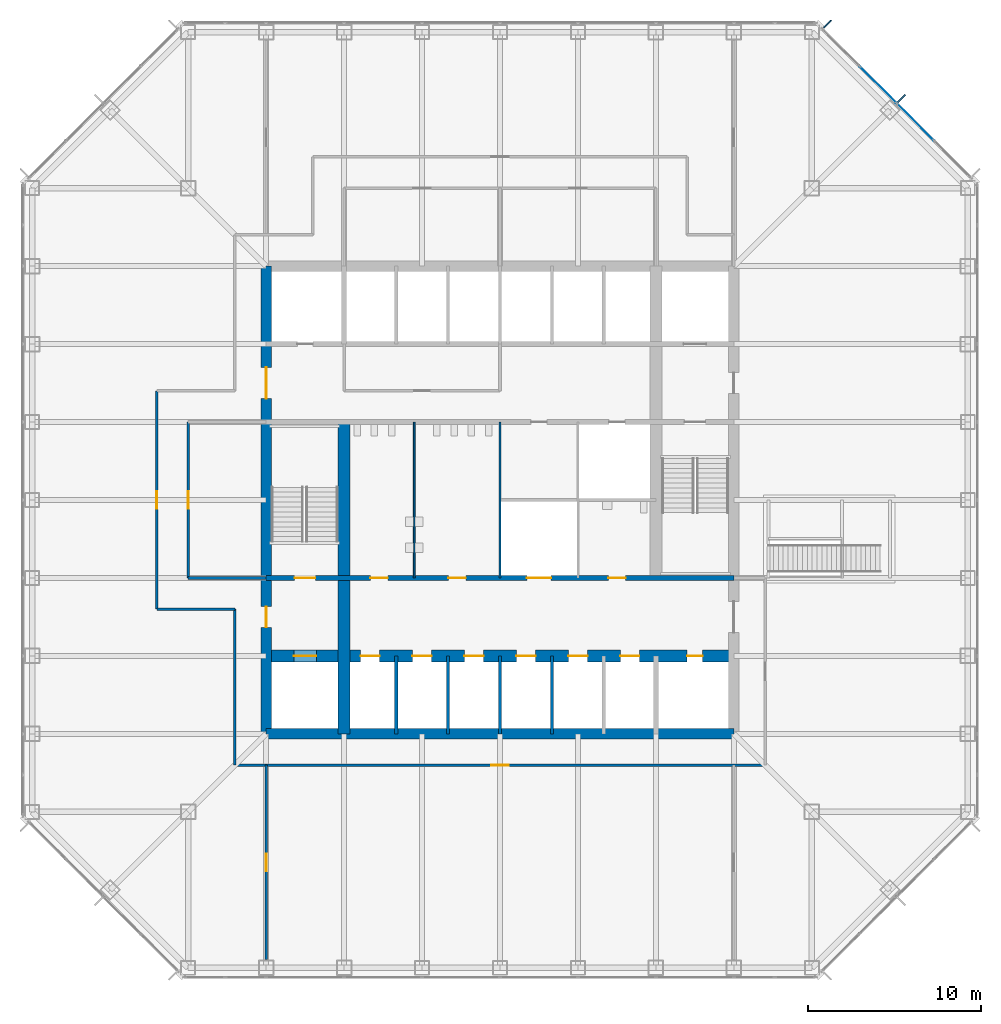
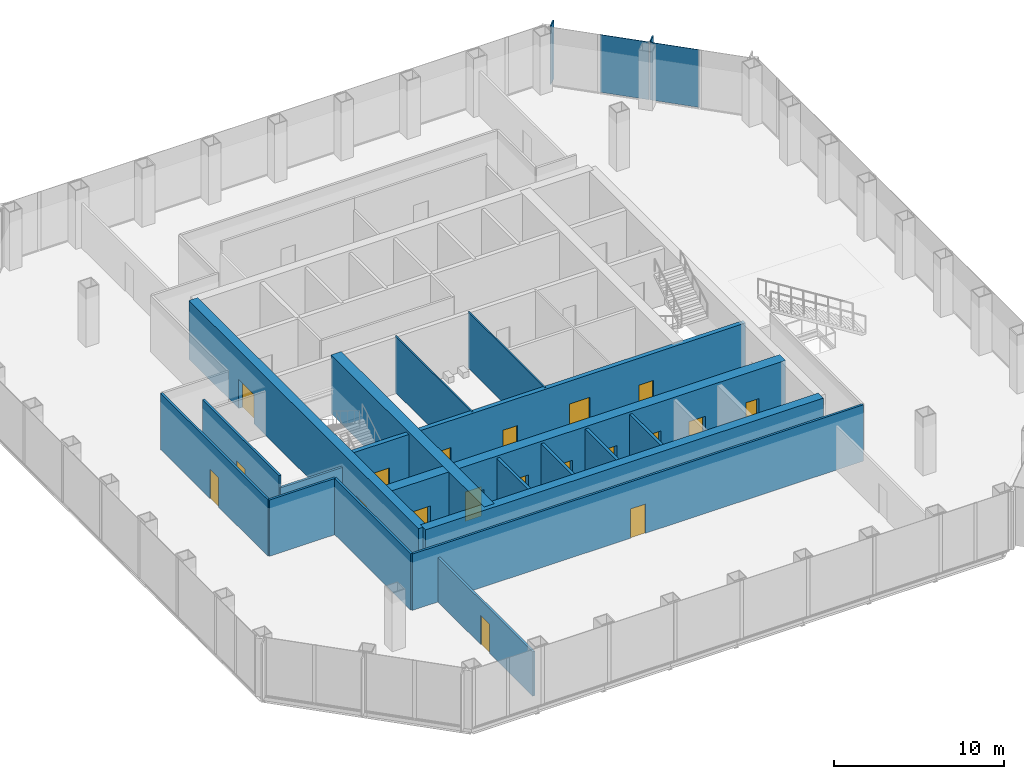
# One storey, part 8 of 12: 19 doors, 18 walls, 4 plates, 19 openings, 1 element without a shape of its own.
"""IFC4 building model written with IfcOpenShell, lengths in metres."""

from ifc_helpers import new_model, si_unit, direction, frame, frame_2d, origin, origin_2d, place, context, subcontext, project, spatial, rectangle, extrude, material, layer, layer_set, type_object, element, fill, aggregate, save


model = new_model("IFC4")

# Units and contexts
model_context = context("Model", 3, precision=1e-05, world=origin(), true_north=direction((0.0, 1.0)))
body_context = subcontext(model_context, "Body", "Model", "MODEL_VIEW")
ifc_project = project(units=[si_unit("LENGTHUNIT", "METRE"), si_unit("AREAUNIT", "SQUARE_METRE"), si_unit("VOLUMEUNIT", "CUBIC_METRE"), si_unit("PLANEANGLEUNIT", "RADIAN"), si_unit("MASSUNIT", "GRAM", prefix="KILO")], contexts=[model_context])

# Site, building, storey
site_placement = place(None, origin())
site = spatial("IfcSite", under=ifc_project, at=site_placement, CompositionType="ELEMENT")
building_placement = place(site_placement, origin())
building = spatial("IfcBuilding", under=site, at=building_placement, Name="Corais Broadcast Tower", CompositionType="ELEMENT")
storey_placement = place(building_placement, frame((0.0, 0.0, 33.199951171875)))
storey = spatial("IfcBuildingStorey", under=building, at=storey_placement, Name="L06", CompositionType="ELEMENT", Elevation=33.199951171875)

# Curtain wall, plates
ifc_material_1 = material(Name="Aluminium and glass", Category="aluminium")
curtain_wall_type = type_object("IfcCurtainWallType", Name="Newsroom clear-glass curtain wall CW7", PredefinedType="NOTDEFINED", material=ifc_material_1)
curtain_wall_placement = place(storey_placement, origin())
curtain_wall = element("IfcCurtainWall", 1, at=curtain_wall_placement, inside=storey, type_object=curtain_wall_type, Name="CW7 curtain wall L06 5", PredefinedType="NOTDEFINED")
ifc_material_2 = material(Name="Clear low-iron laminated glass", Category="glass")
ifc_layer_1 = layer(ifc_material_2, 0.032958984375)
ifc_layer_set_1 = layer_set([ifc_layer_1], Name="Clear low-iron laminated glass")
plate_type_1 = type_object("IfcPlateType", Name="Clear glass panel CW7", PredefinedType="CURTAIN_PANEL", material=ifc_layer_set_1)
plate_1_placement = place(storey_placement, frame((50.9658203125, 48.81201171875, 0.06494140625), z_axis=(0.0, 0.0, 1.0), x_axis=(0.707106781187, -0.707106781187, 0.0)))
plate_1 = element("IfcPlate", 2, at=plate_1_placement, type_object=plate_type_1, Name="CW7 panel 3", PredefinedType="CURTAIN_PANEL", context=body_context, shape_type="SweptSolid", body=[
    extrude(rectangle(XDim=2.98095703125, YDim=0.032958984375, at=origin_2d()), origin(), (0.0, 0.0, 1.0), 4.135009765625),
])
ifc_material_3 = material(Name="Clear laminated glass", Category="glass")
ifc_layer_2 = layer(ifc_material_3, 0.037109375)
ifc_layer_set_2 = layer_set([ifc_layer_2], Name="Clear laminated glass")
plate_type_2 = type_object("IfcPlateType", Name="Operable glass panel CW7", PredefinedType="CURTAIN_PANEL", material=ifc_layer_set_2)
plate_2_placement = place(storey_placement, frame((48.81201171875, 50.9658203125, 0.06494140625), z_axis=(0.0, 0.0, 1.0), x_axis=(0.707106781187, -0.707106781187, 0.0)))
plate_2 = element("IfcPlate", 3, at=plate_2_placement, type_object=plate_type_2, Name="CW7 operable panel 2", PredefinedType="CURTAIN_PANEL", context=body_context, shape_type="SweptSolid", body=[
    extrude(rectangle(XDim=2.98095703125, YDim=0.037109375, at=origin_2d()), origin(), (0.0, 0.0, 1.0), 4.135009765625),
])
aggregate(curtain_wall, [plate_2, plate_1])

# Plates
ifc_material_4 = material(Name="Granite stone cladding", Category="masonry")
ifc_layer_3 = layer(ifc_material_4, 0.080078125)
ifc_layer_set_3 = layer_set([ifc_layer_3], Name="Granite stone cladding")
plate_type_3 = type_object("IfcPlateType", Name="Stone screen fin 80x600", PredefinedType="USERDEFINED", material=ifc_layer_set_3)
for number, where, z_axis, x_axis, name in (
    (4, (45.89208984375, 54.461181640625, 0.0), (0.0, 0.0, 1.0), (0.707106781187, -0.707106781187, 0.0), "SF1 stone screen fin L06"),
    (5, (50.1767578125, 50.1767578125, 0.0), (0.0, 0.0, 1.0), (0.707106781187, -0.707106781187, 0.0), "SF1 stone screen fin L06"),
):
    element("IfcPlate", number, at=place(storey_placement, frame(where, z_axis=z_axis, x_axis=x_axis)), inside=storey, type_object=plate_type_3, Name=name, ObjectType="STONE SCREEN FIN", PredefinedType="USERDEFINED", context=body_context, shape_type="SweptSolid", body=[
        extrude(rectangle(XDim=0.080078125, YDim=0.60009765625, at=origin_2d()), origin(), (0.0, 0.0, 1.0), 4.199951171875),
    ])

# Wall, openings, doors
ifc_material_5 = material(Name="Concrete blockwork class A, grouted, two-hour", Category="masonry")
ifc_layer_4 = layer(ifc_material_5, 0.300048828125)
ifc_layer_set_4 = layer_set([ifc_layer_4], Name="Concrete blockwork class A, grouted, two-hour")
wall_type_1 = type_object("IfcWallType", Name="Core lobby wall 300", PredefinedType="SOLIDWALL", material=ifc_layer_set_4)
wall_1_placement = place(storey_placement, frame((13.5, 22.5, 0.0), z_axis=(0.0, 0.0, 1.0), x_axis=(1.0, 0.0, 0.0)))
wall_1 = element("IfcWall", 6, at=wall_1_placement, inside=storey, type_object=wall_type_1, Name="CL1 core lobby wall Y225 L06", PredefinedType="SOLIDWALL", context=body_context, shape_type="SweptSolid", body=[
    extrude(rectangle(XDim=27.0, YDim=0.300048828125, at=frame_2d((13.5, 0.0))), origin(), (0.0, 0.0, 1.0), 4.0400390625),
])
opening_1_placement = place(wall_1_placement, frame((1.64990234375, 0.0, 0.0)))
opening_1 = element("IfcOpeningElement", 7, at=opening_1_placement, cuts=wall_1, Name="Opening FD1", PredefinedType="OPENING", context=body_context, shape_type="SweptSolid", body=[
    extrude(rectangle(XDim=1.199951171875, YDim=2.10009765625, at=frame_2d((0.60009765625, 1.050048828125))), frame((0.0, 0.159912109375, 0.0), z_axis=(0.0, -1.0, 0.0), x_axis=(1.0, 0.0, 0.0)), (0.0, 0.0, 1.0), 0.320068359375),
])
opening_2_placement = place(wall_1_placement, frame((6.02490234375, 0.0, 0.0)))
opening_2 = element("IfcOpeningElement", 8, at=opening_2_placement, cuts=wall_1, Name="Opening WD1", PredefinedType="OPENING", context=body_context, shape_type="SweptSolid", body=[
    extrude(rectangle(XDim=1.0, YDim=2.10009765625, at=frame_2d((0.5, 1.050048828125))), frame((0.0, 0.159912109375, 0.0), z_axis=(0.0, -1.0, 0.0), x_axis=(1.0, 0.0, 0.0)), (0.0, 0.0, 1.0), 0.320068359375),
])
opening_3_placement = place(wall_1_placement, frame((10.52490234375, 0.0, 0.0)))
opening_3 = element("IfcOpeningElement", 9, at=opening_3_placement, cuts=wall_1, Name="Opening WD1", PredefinedType="OPENING", context=body_context, shape_type="SweptSolid", body=[
    extrude(rectangle(XDim=1.0, YDim=2.10009765625, at=frame_2d((0.5, 1.050048828125))), frame((0.0, 0.159912109375, 0.0), z_axis=(0.0, -1.0, 0.0), x_axis=(1.0, 0.0, 0.0)), (0.0, 0.0, 1.0), 0.320068359375),
])
opening_4_placement = place(wall_1_placement, frame((19.75, 0.0, 0.0)))
opening_4 = element("IfcOpeningElement", 10, at=opening_4_placement, cuts=wall_1, Name="Opening WD1", PredefinedType="OPENING", context=body_context, shape_type="SweptSolid", body=[
    extrude(rectangle(XDim=1.0, YDim=2.10009765625, at=frame_2d((0.5, 1.050048828125))), frame((0.0, 0.159912109375, 0.0), z_axis=(0.0, -1.0, 0.0), x_axis=(1.0, 0.0, 0.0)), (0.0, 0.0, 1.0), 0.320068359375),
])
opening_5_placement = place(wall_1_placement, frame((15.050048828125, 0.0, 0.0)))
opening_5 = element("IfcOpeningElement", 11, at=opening_5_placement, cuts=wall_1, Name="Opening LD3", PredefinedType="OPENING", context=body_context, shape_type="SweptSolid", body=[
    extrude(rectangle(XDim=1.39990234375, YDim=2.39990234375, at=frame_2d((0.699951171875, 1.199951171875))), frame((0.0, 0.159912109375, 0.0), z_axis=(0.0, -1.0, 0.0), x_axis=(1.0, 0.0, 0.0)), (0.0, 0.0, 1.0), 0.320068359375),
])
ifc_material_6 = material(Name="Steel fire door", Category="steel")
door_type_1 = type_object("IfcDoorType", Name="Fire door 1200x2100", OperationType="SINGLE_SWING_LEFT", PredefinedType="DOOR", material=ifc_material_6)
door_1_placement = place(opening_1_placement, origin())
door_1 = element("IfcDoor", 12, at=door_1_placement, inside=storey, type_object=door_type_1, Name="FD1 stair A door L06", OperationType="SINGLE_SWING_LEFT", OverallHeight=2.10009765625, OverallWidth=1.199951171875, PredefinedType="DOOR", context=body_context, shape_type="SweptSolid", body=[
    extrude(rectangle(XDim=1.199951171875, YDim=2.10009765625, at=frame_2d((0.60009765625, 1.050048828125))), frame((0.0, 0.02490234375, 0.0), z_axis=(0.0, -1.0, 0.0), x_axis=(1.0, 0.0, 0.0)), (0.0, 0.0, 1.0), 0.050048828125),
])
fill(opening_1, door_1)
ifc_material_7 = material(Name="Stainless steel lift door", Category="steel")
door_type_2 = type_object("IfcDoorType", Name="Service lift landing door 1400x2400", OperationType="SLIDING_TO_LEFT", PredefinedType="DOOR", material=ifc_material_7)
door_2_placement = place(opening_5_placement, origin())
door_2 = element("IfcDoor", 13, at=door_2_placement, inside=storey, type_object=door_type_2, Name="LD3 SL1 landing door L06", OperationType="SLIDING_TO_LEFT", OverallHeight=2.39990234375, OverallWidth=1.39990234375, PredefinedType="DOOR", context=body_context, shape_type="SweptSolid", body=[
    extrude(rectangle(XDim=1.39990234375, YDim=2.39990234375, at=frame_2d((0.699951171875, 1.199951171875))), frame((0.0, 0.02490234375, 0.0), z_axis=(0.0, -1.0, 0.0), x_axis=(1.0, 0.0, 0.0)), (0.0, 0.0, 1.0), 0.050048828125),
])
fill(opening_5, door_2)
ifc_material_8 = material(Name="Timber door", Category="wood")
door_type_3 = type_object("IfcDoorType", Name="Toilet door 1000x2100", OperationType="SINGLE_SWING_LEFT", PredefinedType="DOOR", material=ifc_material_8)
door_3_placement = place(opening_2_placement, origin())
door_3 = element("IfcDoor", 14, at=door_3_placement, inside=storey, type_object=door_type_3, Name="WD1 WC male door L06", OperationType="SINGLE_SWING_LEFT", OverallHeight=2.10009765625, OverallWidth=1.0, PredefinedType="DOOR", context=body_context, shape_type="SweptSolid", body=[
    extrude(rectangle(XDim=1.0, YDim=2.10009765625, at=frame_2d((0.5, 1.050048828125))), frame((0.0, 0.02490234375, 0.0), z_axis=(0.0, -1.0, 0.0), x_axis=(1.0, 0.0, 0.0)), (0.0, 0.0, 1.0), 0.050048828125),
])
fill(opening_2, door_3)
door_4_placement = place(opening_3_placement, origin())
door_4 = element("IfcDoor", 15, at=door_4_placement, inside=storey, type_object=door_type_3, Name="WD1 WC female door L06", OperationType="SINGLE_SWING_LEFT", OverallHeight=2.10009765625, OverallWidth=1.0, PredefinedType="DOOR", context=body_context, shape_type="SweptSolid", body=[
    extrude(rectangle(XDim=1.0, YDim=2.10009765625, at=frame_2d((0.5, 1.050048828125))), frame((0.0, 0.02490234375, 0.0), z_axis=(0.0, -1.0, 0.0), x_axis=(1.0, 0.0, 0.0)), (0.0, 0.0, 1.0), 0.050048828125),
])
fill(opening_3, door_4)
door_5_placement = place(opening_4_placement, origin())
door_5 = element("IfcDoor", 16, at=door_5_placement, inside=storey, type_object=door_type_3, Name="WD1 accessible WC door L06", OperationType="SINGLE_SWING_RIGHT", OverallHeight=2.10009765625, OverallWidth=1.0, PredefinedType="DOOR", context=body_context, shape_type="SweptSolid", body=[
    extrude(rectangle(XDim=1.0, YDim=2.10009765625, at=frame_2d((0.5, 1.050048828125))), frame((0.0, 0.02490234375, 0.0), z_axis=(0.0, -1.0, 0.0), x_axis=(1.0, 0.0, 0.0)), (0.0, 0.0, 1.0), 0.050048828125),
])
fill(opening_4, door_5)

# Wall
ifc_material_9 = material(Name="Concrete C50/60", Category="concrete")
ifc_layer_5 = layer(ifc_material_9, 0.699951171875)
ifc_layer_set_5 = layer_set([ifc_layer_5], Name="Concrete C50/60")
wall_type_2 = type_object("IfcWallType", Name="Core spine wall 700", PredefinedType="SHEAR", material=ifc_layer_set_5)
wall_2_placement = place(storey_placement, frame((18.0, 13.5, 0.0), z_axis=(0.0, 0.0, 1.0), x_axis=(0.0, 1.0, 0.0)))
element("IfcWall", 17, at=wall_2_placement, inside=storey, type_object=wall_type_2, Name="CR700 core wall X18A L06", PredefinedType="SHEAR", context=body_context, shape_type="SweptSolid", body=[
    extrude(rectangle(XDim=18.0, YDim=0.699951171875, at=frame_2d((9.0, 0.0))), origin(), (0.0, 0.0, 1.0), 4.199951171875),
])

# Wall, openings, doors
wall_3_placement = place(storey_placement, frame((13.5, 18.0, 0.0), z_axis=(0.0, 0.0, 1.0), x_axis=(1.0, 0.0, 0.0)))
wall_3 = element("IfcWall", 18, at=wall_3_placement, inside=storey, type_object=wall_type_2, Name="CR700 core wall Y18 L06", PredefinedType="SHEAR", context=body_context, shape_type="SweptSolid", body=[
    extrude(rectangle(XDim=27.0, YDim=0.699951171875, at=frame_2d((13.5, 0.0))), origin(), (0.0, 0.0, 1.0), 4.199951171875),
])
opening_6_placement = place(wall_3_placement, frame((24.300048828125, 0.0, 0.0)))
opening_6 = element("IfcOpeningElement", 19, at=opening_6_placement, cuts=wall_3, Name="Opening RD1", PredefinedType="OPENING", context=body_context, shape_type="SweptSolid", body=[
    extrude(rectangle(XDim=0.89990234375, YDim=2.10009765625, at=frame_2d((0.449951171875, 1.050048828125))), frame((0.0, 0.35986328125, 0.0), z_axis=(0.0, -1.0, 0.0), x_axis=(1.0, 0.0, 0.0)), (0.0, 0.0, 1.0), 0.719970703125),
])
opening_7_placement = place(wall_3_placement, frame((5.449951171875, 0.0, 0.0)))
opening_7 = element("IfcOpeningElement", 20, at=opening_7_placement, cuts=wall_3, Name="Opening LD1", PredefinedType="OPENING", context=body_context, shape_type="SweptSolid", body=[
    extrude(rectangle(XDim=1.10009765625, YDim=2.10009765625, at=frame_2d((0.550048828125, 1.050048828125))), frame((0.0, 0.35986328125, 0.0), z_axis=(0.0, -1.0, 0.0), x_axis=(1.0, 0.0, 0.0)), (0.0, 0.0, 1.0), 0.719970703125),
])
opening_8_placement = place(wall_3_placement, frame((8.449951171875, 0.0, 0.0)))
opening_8 = element("IfcOpeningElement", 21, at=opening_8_placement, cuts=wall_3, Name="Opening LD1", PredefinedType="OPENING", context=body_context, shape_type="SweptSolid", body=[
    extrude(rectangle(XDim=1.10009765625, YDim=2.10009765625, at=frame_2d((0.550048828125, 1.050048828125))), frame((0.0, 0.35986328125, 0.0), z_axis=(0.0, -1.0, 0.0), x_axis=(1.0, 0.0, 0.0)), (0.0, 0.0, 1.0), 0.719970703125),
])
opening_9_placement = place(wall_3_placement, frame((11.449951171875, 0.0, 0.0)))
opening_9 = element("IfcOpeningElement", 22, at=opening_9_placement, cuts=wall_3, Name="Opening LD1", PredefinedType="OPENING", context=body_context, shape_type="SweptSolid", body=[
    extrude(rectangle(XDim=1.10009765625, YDim=2.10009765625, at=frame_2d((0.550048828125, 1.050048828125))), frame((0.0, 0.35986328125, 0.0), z_axis=(0.0, -1.0, 0.0), x_axis=(1.0, 0.0, 0.0)), (0.0, 0.0, 1.0), 0.719970703125),
])
opening_10_placement = place(wall_3_placement, frame((14.449951171875, 0.0, 0.0)))
opening_10 = element("IfcOpeningElement", 23, at=opening_10_placement, cuts=wall_3, Name="Opening LD1", PredefinedType="OPENING", context=body_context, shape_type="SweptSolid", body=[
    extrude(rectangle(XDim=1.10009765625, YDim=2.10009765625, at=frame_2d((0.550048828125, 1.050048828125))), frame((0.0, 0.35986328125, 0.0), z_axis=(0.0, -1.0, 0.0), x_axis=(1.0, 0.0, 0.0)), (0.0, 0.0, 1.0), 0.719970703125),
])
opening_11_placement = place(wall_3_placement, frame((17.449951171875, 0.0, 0.0)))
opening_11 = element("IfcOpeningElement", 24, at=opening_11_placement, cuts=wall_3, Name="Opening LD1", PredefinedType="OPENING", context=body_context, shape_type="SweptSolid", body=[
    extrude(rectangle(XDim=1.10009765625, YDim=2.10009765625, at=frame_2d((0.550048828125, 1.050048828125))), frame((0.0, 0.35986328125, 0.0), z_axis=(0.0, -1.0, 0.0), x_axis=(1.0, 0.0, 0.0)), (0.0, 0.0, 1.0), 0.719970703125),
])
opening_12_placement = place(wall_3_placement, frame((20.449951171875, 0.0, 0.0)))
opening_12 = element("IfcOpeningElement", 25, at=opening_12_placement, cuts=wall_3, Name="Opening LD1", PredefinedType="OPENING", context=body_context, shape_type="SweptSolid", body=[
    extrude(rectangle(XDim=1.10009765625, YDim=2.10009765625, at=frame_2d((0.550048828125, 1.050048828125))), frame((0.0, 0.35986328125, 0.0), z_axis=(0.0, -1.0, 0.0), x_axis=(1.0, 0.0, 0.0)), (0.0, 0.0, 1.0), 0.719970703125),
])
opening_13_placement = place(wall_3_placement, frame((1.60009765625, 0.0, 0.0)))
opening_13 = element("IfcOpeningElement", 26, at=opening_13_placement, cuts=wall_3, Name="Opening LD2", PredefinedType="OPENING", context=body_context, shape_type="SweptSolid", body=[
    extrude(rectangle(XDim=1.300048828125, YDim=2.199951171875, at=frame_2d((0.64990234375, 1.10009765625))), frame((0.0, 0.35986328125, 0.0), z_axis=(0.0, -1.0, 0.0), x_axis=(1.0, 0.0, 0.0)), (0.0, 0.0, 1.0), 0.719970703125),
])
ifc_material_10 = material(Name="Stainless steel lift door", Category="steel")
door_type_4 = type_object("IfcDoorType", Name="Lift landing door 1100x2100", OperationType="SLIDING_TO_LEFT", PredefinedType="DOOR", material=ifc_material_10)
door_6_placement = place(opening_7_placement, origin())
door_6 = element("IfcDoor", 27, at=door_6_placement, inside=storey, type_object=door_type_4, Name="LD1 PL1 landing door L06", OperationType="SLIDING_TO_LEFT", OverallHeight=2.10009765625, OverallWidth=1.10009765625, PredefinedType="DOOR", context=body_context, shape_type="SweptSolid", body=[
    extrude(rectangle(XDim=1.10009765625, YDim=2.10009765625, at=frame_2d((0.550048828125, 1.050048828125))), frame((0.0, 0.02490234375, 0.0), z_axis=(0.0, -1.0, 0.0), x_axis=(1.0, 0.0, 0.0)), (0.0, 0.0, 1.0), 0.050048828125),
])
fill(opening_7, door_6)
door_7_placement = place(opening_8_placement, origin())
door_7 = element("IfcDoor", 28, at=door_7_placement, inside=storey, type_object=door_type_4, Name="LD1 PL2 landing door L06", OperationType="SLIDING_TO_LEFT", OverallHeight=2.10009765625, OverallWidth=1.10009765625, PredefinedType="DOOR", context=body_context, shape_type="SweptSolid", body=[
    extrude(rectangle(XDim=1.10009765625, YDim=2.10009765625, at=frame_2d((0.550048828125, 1.050048828125))), frame((0.0, 0.02490234375, 0.0), z_axis=(0.0, -1.0, 0.0), x_axis=(1.0, 0.0, 0.0)), (0.0, 0.0, 1.0), 0.050048828125),
])
fill(opening_8, door_7)
door_8_placement = place(opening_9_placement, origin())
door_8 = element("IfcDoor", 29, at=door_8_placement, inside=storey, type_object=door_type_4, Name="LD1 PL3 landing door L06", OperationType="SLIDING_TO_LEFT", OverallHeight=2.10009765625, OverallWidth=1.10009765625, PredefinedType="DOOR", context=body_context, shape_type="SweptSolid", body=[
    extrude(rectangle(XDim=1.10009765625, YDim=2.10009765625, at=frame_2d((0.550048828125, 1.050048828125))), frame((0.0, 0.02490234375, 0.0), z_axis=(0.0, -1.0, 0.0), x_axis=(1.0, 0.0, 0.0)), (0.0, 0.0, 1.0), 0.050048828125),
])
fill(opening_9, door_8)
door_9_placement = place(opening_10_placement, origin())
door_9 = element("IfcDoor", 30, at=door_9_placement, inside=storey, type_object=door_type_4, Name="LD1 PL4 landing door L06", OperationType="SLIDING_TO_LEFT", OverallHeight=2.10009765625, OverallWidth=1.10009765625, PredefinedType="DOOR", context=body_context, shape_type="SweptSolid", body=[
    extrude(rectangle(XDim=1.10009765625, YDim=2.10009765625, at=frame_2d((0.550048828125, 1.050048828125))), frame((0.0, 0.02490234375, 0.0), z_axis=(0.0, -1.0, 0.0), x_axis=(1.0, 0.0, 0.0)), (0.0, 0.0, 1.0), 0.050048828125),
])
fill(opening_10, door_9)
door_10_placement = place(opening_11_placement, origin())
door_10 = element("IfcDoor", 31, at=door_10_placement, inside=storey, type_object=door_type_4, Name="LD1 PL5 landing door L06", OperationType="SLIDING_TO_LEFT", OverallHeight=2.10009765625, OverallWidth=1.10009765625, PredefinedType="DOOR", context=body_context, shape_type="SweptSolid", body=[
    extrude(rectangle(XDim=1.10009765625, YDim=2.10009765625, at=frame_2d((0.550048828125, 1.050048828125))), frame((0.0, 0.02490234375, 0.0), z_axis=(0.0, -1.0, 0.0), x_axis=(1.0, 0.0, 0.0)), (0.0, 0.0, 1.0), 0.050048828125),
])
fill(opening_11, door_10)
door_11_placement = place(opening_12_placement, origin())
door_11 = element("IfcDoor", 32, at=door_11_placement, inside=storey, type_object=door_type_4, Name="LD1 PL6 landing door L06", OperationType="SLIDING_TO_LEFT", OverallHeight=2.10009765625, OverallWidth=1.10009765625, PredefinedType="DOOR", context=body_context, shape_type="SweptSolid", body=[
    extrude(rectangle(XDim=1.10009765625, YDim=2.10009765625, at=frame_2d((0.550048828125, 1.050048828125))), frame((0.0, 0.02490234375, 0.0), z_axis=(0.0, -1.0, 0.0), x_axis=(1.0, 0.0, 0.0)), (0.0, 0.0, 1.0), 0.050048828125),
])
fill(opening_12, door_11)
ifc_material_11 = material(Name="Stainless steel lift door", Category="steel")
door_type_5 = type_object("IfcDoorType", Name="Lift landing door 1300x2200", OperationType="SLIDING_TO_LEFT", PredefinedType="DOOR", material=ifc_material_11)
door_12_placement = place(opening_13_placement, origin())
door_12 = element("IfcDoor", 33, at=door_12_placement, inside=storey, type_object=door_type_5, Name="LD2 FL1 landing door L06", OperationType="SLIDING_TO_LEFT", OverallHeight=2.199951171875, OverallWidth=1.300048828125, PredefinedType="DOOR", context=body_context, shape_type="SweptSolid", body=[
    extrude(rectangle(XDim=1.300048828125, YDim=2.199951171875, at=frame_2d((0.64990234375, 1.10009765625))), frame((0.0, 0.02490234375, 0.0), z_axis=(0.0, -1.0, 0.0), x_axis=(1.0, 0.0, 0.0)), (0.0, 0.0, 1.0), 0.050048828125),
])
fill(opening_13, door_12)
ifc_material_12 = material(Name="Steel fire door", Category="steel")
door_type_6 = type_object("IfcDoorType", Name="Riser door 900x2100", OperationType="SINGLE_SWING_LEFT", PredefinedType="DOOR", material=ifc_material_12)
door_13_placement = place(opening_6_placement, origin())
door_13 = element("IfcDoor", 34, at=door_13_placement, inside=storey, type_object=door_type_6, Name="RD1 riser door L06", OperationType="SINGLE_SWING_RIGHT", OverallHeight=2.10009765625, OverallWidth=0.89990234375, PredefinedType="DOOR", context=body_context, shape_type="SweptSolid", body=[
    extrude(rectangle(XDim=0.89990234375, YDim=2.10009765625, at=frame_2d((0.449951171875, 1.050048828125))), frame((0.0, 0.02490234375, 0.0), z_axis=(0.0, -1.0, 0.0), x_axis=(1.0, 0.0, 0.0)), (0.0, 0.0, 1.0), 0.050048828125),
])
fill(opening_6, door_13)

# Wall
ifc_material_13 = material(Name="Concrete C50/60", Category="concrete")
ifc_layer_6 = layer(ifc_material_13, 0.60009765625)
ifc_layer_set_6 = layer_set([ifc_layer_6], Name="Concrete C50/60")
wall_type_3 = type_object("IfcWallType", Name="Core wall 600", PredefinedType="SHEAR", material=ifc_layer_set_6)
wall_4_placement = place(storey_placement, frame((13.5, 13.5, 0.0), z_axis=(0.0, 0.0, 1.0), x_axis=(1.0, 0.0, 0.0)))
element("IfcWall", 35, at=wall_4_placement, inside=storey, type_object=wall_type_3, Name="CR600 core wall S L06", PredefinedType="SHEAR", context=body_context, shape_type="SweptSolid", body=[
    extrude(rectangle(XDim=27.0, YDim=0.60009765625, at=frame_2d((13.5, 0.0))), origin(), (0.0, 0.0, 1.0), 4.199951171875),
])

# Wall, openings, doors
wall_5_placement = place(storey_placement, frame((13.5, 40.5, 0.0), z_axis=(0.0, 0.0, 1.0), x_axis=(0.0, -1.0, 0.0)))
wall_5 = element("IfcWall", 36, at=wall_5_placement, inside=storey, type_object=wall_type_3, Name="CR600 core wall W L06", PredefinedType="SHEAR", context=body_context, shape_type="SweptSolid", body=[
    extrude(rectangle(XDim=27.0, YDim=0.60009765625, at=frame_2d((13.5, 0.0))), origin(), (0.0, 0.0, 1.0), 4.199951171875),
])
opening_14_placement = place(wall_5_placement, frame((19.64990234375, 0.0, 0.0)))
opening_14 = element("IfcOpeningElement", 37, at=opening_14_placement, cuts=wall_5, Name="Opening FD1", PredefinedType="OPENING", context=body_context, shape_type="SweptSolid", body=[
    extrude(rectangle(XDim=1.199951171875, YDim=2.10009765625, at=frame_2d((0.60009765625, 1.050048828125))), frame((0.0, 0.31005859375, 0.0), z_axis=(0.0, -1.0, 0.0), x_axis=(1.0, 0.0, 0.0)), (0.0, 0.0, 1.0), 0.6201171875),
])
opening_15_placement = place(wall_5_placement, frame((5.85009765625, 0.0, 0.0)))
opening_15 = element("IfcOpeningElement", 38, at=opening_15_placement, cuts=wall_5, Name="Opening FD2", PredefinedType="OPENING", context=body_context, shape_type="SweptSolid", body=[
    extrude(rectangle(XDim=1.800048828125, YDim=2.10009765625, at=frame_2d((0.89990234375, 1.050048828125))), frame((0.0, 0.31005859375, 0.0), z_axis=(0.0, -1.0, 0.0), x_axis=(1.0, 0.0, 0.0)), (0.0, 0.0, 1.0), 0.6201171875),
])
door_14_placement = place(opening_14_placement, origin())
door_14 = element("IfcDoor", 39, at=door_14_placement, inside=storey, type_object=door_type_1, Name="FD1 fire lobby A door L06", OperationType="SINGLE_SWING_RIGHT", OverallHeight=2.10009765625, OverallWidth=1.199951171875, PredefinedType="DOOR", context=body_context, shape_type="SweptSolid", body=[
    extrude(rectangle(XDim=1.199951171875, YDim=2.10009765625, at=frame_2d((0.60009765625, 1.050048828125))), frame((0.0, 0.02490234375, 0.0), z_axis=(0.0, -1.0, 0.0), x_axis=(1.0, 0.0, 0.0)), (0.0, 0.0, 1.0), 0.050048828125),
])
fill(opening_14, door_14)
ifc_material_14 = material(Name="Steel fire door", Category="steel")
door_type_7 = type_object("IfcDoorType", Name="Fire door pair 1800x2100", OperationType="DOUBLE_DOOR_SINGLE_SWING", PredefinedType="DOOR", material=ifc_material_14)
door_15_placement = place(opening_15_placement, origin())
door_15 = element("IfcDoor", 40, at=door_15_placement, inside=storey, type_object=door_type_7, Name="FD2 lift lobby door L06", OperationType="SINGLE_SWING_LEFT", OverallHeight=2.10009765625, OverallWidth=1.800048828125, PredefinedType="DOOR", context=body_context, shape_type="SweptSolid", body=[
    extrude(rectangle(XDim=1.800048828125, YDim=2.10009765625, at=frame_2d((0.89990234375, 1.050048828125))), frame((0.0, 0.02490234375, 0.0), z_axis=(0.0, -1.0, 0.0), x_axis=(1.0, 0.0, 0.0)), (0.0, 0.0, 1.0), 0.050048828125),
])
fill(opening_15, door_15)

# Wall, opening, door
ifc_material_15 = material(Name="Gypsum board on steel studs", Category="steel")
ifc_layer_7 = layer(ifc_material_15, 0.14990234375)
ifc_layer_set_7 = layer_set([ifc_layer_7], Name="Gypsum board on steel studs")
wall_type_4 = type_object("IfcWallType", Name="Partition 150", PredefinedType="PARTITIONING", material=ifc_layer_set_7)
wall_6_placement = place(storey_placement, frame((11.699951171875, 11.699951171875, 0.0), z_axis=(0.0, 0.0, 1.0), x_axis=(1.0, 0.0, 0.0)))
wall_6 = element("IfcWall", 41, at=wall_6_placement, inside=storey, type_object=wall_type_4, Name="IW3 corridor wall L06", PredefinedType="PARTITIONING", context=body_context, shape_type="SweptSolid", body=[
    extrude(rectangle(XDim=30.60009765625, YDim=0.14990234375, at=frame_2d((15.300048828125, 0.0))), origin(), (0.0, 0.0, 1.0), 4.0400390625),
])
opening_16_placement = place(wall_6_placement, frame((14.800048828125, 0.0, 0.0)))
opening_16 = element("IfcOpeningElement", 42, at=opening_16_placement, cuts=wall_6, Name="Opening D1", PredefinedType="OPENING", context=body_context, shape_type="SweptSolid", body=[
    extrude(rectangle(XDim=1.0, YDim=2.10009765625, at=frame_2d((0.5, 1.050048828125))), frame((0.0, 0.0849609375, 0.0), z_axis=(0.0, -1.0, 0.0), x_axis=(1.0, 0.0, 0.0)), (0.0, 0.0, 1.0), 0.169921875),
])
ifc_material_16 = material(Name="Timber door", Category="wood")
door_type_8 = type_object("IfcDoorType", Name="Single door 1000x2100", OperationType="SINGLE_SWING_LEFT", PredefinedType="DOOR", material=ifc_material_16)
door_16_placement = place(opening_16_placement, origin())
door_16 = element("IfcDoor", 43, at=door_16_placement, inside=storey, type_object=door_type_8, Name="D1 workplace door L06", OperationType="SINGLE_SWING_LEFT", OverallHeight=2.10009765625, OverallWidth=1.0, PredefinedType="DOOR", context=body_context, shape_type="SweptSolid", body=[
    extrude(rectangle(XDim=1.0, YDim=2.10009765625, at=frame_2d((0.5, 1.050048828125))), frame((0.0, 0.02490234375, 0.0), z_axis=(0.0, -1.0, 0.0), x_axis=(1.0, 0.0, 0.0)), (0.0, 0.0, 1.0), 0.050048828125),
])
fill(opening_16, door_16)

wall_7_placement = place(storey_placement, frame((7.199951171875, 33.300048828125, 0.0), z_axis=(0.0, 0.0, 1.0), x_axis=(0.0, -1.0, 0.0)))
wall_7 = element("IfcWall", 44, at=wall_7_placement, inside=storey, type_object=wall_type_4, Name="IW3 corridor wall L06", PredefinedType="PARTITIONING", context=body_context, shape_type="SweptSolid", body=[
    extrude(rectangle(XDim=12.60009765625, YDim=0.14990234375, at=frame_2d((6.300048828125, 0.0))), origin(), (0.0, 0.0, 1.0), 4.0400390625),
])
opening_17_placement = place(wall_7_placement, frame((5.800048828125, 0.0, 0.0)))
opening_17 = element("IfcOpeningElement", 45, at=opening_17_placement, cuts=wall_7, Name="Opening D1", PredefinedType="OPENING", context=body_context, shape_type="SweptSolid", body=[
    extrude(rectangle(XDim=1.0, YDim=2.10009765625, at=frame_2d((0.5, 1.050048828125))), frame((0.0, 0.0849609375, 0.0), z_axis=(0.0, -1.0, 0.0), x_axis=(1.0, 0.0, 0.0)), (0.0, 0.0, 1.0), 0.169921875),
])
door_17_placement = place(opening_17_placement, origin())
door_17 = element("IfcDoor", 46, at=door_17_placement, inside=storey, type_object=door_type_8, Name="D1 workplace door L06", OperationType="SINGLE_SWING_LEFT", OverallHeight=2.10009765625, OverallWidth=1.0, PredefinedType="DOOR", context=body_context, shape_type="SweptSolid", body=[
    extrude(rectangle(XDim=1.0, YDim=2.10009765625, at=frame_2d((0.5, 1.050048828125))), frame((0.0, 0.02490234375, 0.0), z_axis=(0.0, -1.0, 0.0), x_axis=(1.0, 0.0, 0.0)), (0.0, 0.0, 1.0), 0.050048828125),
])
fill(opening_17, door_17)

# Walls
wall_8_placement = place(storey_placement, frame((11.699951171875, 20.699951171875, 0.0), z_axis=(0.0, 0.0, 1.0), x_axis=(0.0, -1.0, 0.0)))
element("IfcWall", 47, at=wall_8_placement, inside=storey, type_object=wall_type_4, Name="IW3 corridor wall L06", PredefinedType="PARTITIONING", context=body_context, shape_type="SweptSolid", body=[
    extrude(rectangle(XDim=9.0, YDim=0.14990234375, at=frame_2d((4.5, 0.0))), origin(), (0.0, 0.0, 1.0), 4.0400390625),
])
wall_9_placement = place(storey_placement, frame((7.199951171875, 20.699951171875, 0.0), z_axis=(0.0, 0.0, 1.0), x_axis=(1.0, 0.0, 0.0)))
element("IfcWall", 48, at=wall_9_placement, inside=storey, type_object=wall_type_4, Name="IW3 corridor wall L06", PredefinedType="PARTITIONING", context=body_context, shape_type="SweptSolid", body=[
    extrude(rectangle(XDim=4.5, YDim=0.14990234375, at=frame_2d((2.25, 0.0))), origin(), (0.0, 0.0, 1.0), 4.0400390625),
])
wall_10_placement = place(storey_placement, frame((9.0, 22.5, 0.0), z_axis=(0.0, 0.0, 1.0), x_axis=(1.0, 0.0, 0.0)))
element("IfcWall", 49, at=wall_10_placement, inside=storey, type_object=wall_type_4, Name="IW3 partition L06", PredefinedType="PARTITIONING", context=body_context, shape_type="SweptSolid", body=[
    extrude(rectangle(XDim=4.5, YDim=0.14990234375, at=frame_2d((2.25, 0.0))), origin(), (0.0, 0.0, 1.0), 3.18896484375),
])

# Wall, opening, door
wall_11_placement = place(storey_placement, frame((9.0, 31.5, 0.0), z_axis=(0.0, 0.0, 1.0), x_axis=(0.0, -1.0, 0.0)))
wall_11 = element("IfcWall", 50, at=wall_11_placement, inside=storey, type_object=wall_type_4, Name="IW3 partition L06", PredefinedType="PARTITIONING", context=body_context, shape_type="SweptSolid", body=[
    extrude(rectangle(XDim=9.0, YDim=0.14990234375, at=frame_2d((4.5, 0.0))), origin(), (0.0, 0.0, 1.0), 4.0400390625),
])
opening_18_placement = place(wall_11_placement, frame((4.0, 0.0, 0.0)))
opening_18 = element("IfcOpeningElement", 51, at=opening_18_placement, cuts=wall_11, Name="Opening D1", PredefinedType="OPENING", context=body_context, shape_type="SweptSolid", body=[
    extrude(rectangle(XDim=1.0, YDim=2.10009765625, at=frame_2d((0.5, 1.050048828125))), frame((0.0, 0.0849609375, 0.0), z_axis=(0.0, -1.0, 0.0), x_axis=(1.0, 0.0, 0.0)), (0.0, 0.0, 1.0), 0.169921875),
])
door_18_placement = place(opening_18_placement, origin())
door_18 = element("IfcDoor", 52, at=door_18_placement, inside=storey, type_object=door_type_8, Name="D1 Pantry door", OperationType="SINGLE_SWING_LEFT", OverallHeight=2.10009765625, OverallWidth=1.0, PredefinedType="DOOR", context=body_context, shape_type="SweptSolid", body=[
    extrude(rectangle(XDim=1.0, YDim=2.10009765625, at=frame_2d((0.5, 1.050048828125))), frame((0.0, 0.02490234375, 0.0), z_axis=(0.0, -1.0, 0.0), x_axis=(1.0, 0.0, 0.0)), (0.0, 0.0, 1.0), 0.050048828125),
])
fill(opening_18, door_18)

wall_12_placement = place(storey_placement, frame((13.5, 0.469970703125, 0.0), z_axis=(0.0, 0.0, 1.0), x_axis=(0.0, 1.0, 0.0)))
wall_12 = element("IfcWall", 53, at=wall_12_placement, inside=storey, type_object=wall_type_4, Name="IW3 partition L06", PredefinedType="PARTITIONING", context=body_context, shape_type="SweptSolid", body=[
    extrude(rectangle(XDim=11.22998046875, YDim=0.14990234375, at=frame_2d((5.614990234375, 0.0))), origin(), (0.0, 0.0, 1.0), 3.18896484375),
])
opening_19_placement = place(wall_12_placement, frame((5.114990234375, 0.0, 0.0)))
opening_19 = element("IfcOpeningElement", 54, at=opening_19_placement, cuts=wall_12, Name="Opening D1", PredefinedType="OPENING", context=body_context, shape_type="SweptSolid", body=[
    extrude(rectangle(XDim=1.0, YDim=2.10009765625, at=frame_2d((0.5, 1.050048828125))), frame((0.0, 0.0849609375, 0.0), z_axis=(0.0, -1.0, 0.0), x_axis=(1.0, 0.0, 0.0)), (0.0, 0.0, 1.0), 0.169921875),
])
door_19_placement = place(opening_19_placement, origin())
door_19 = element("IfcDoor", 55, at=door_19_placement, inside=storey, type_object=door_type_8, Name="D1 team room door L06", OperationType="SINGLE_SWING_LEFT", OverallHeight=2.10009765625, OverallWidth=1.0, PredefinedType="DOOR", context=body_context, shape_type="SweptSolid", body=[
    extrude(rectangle(XDim=1.0, YDim=2.10009765625, at=frame_2d((0.5, 1.050048828125))), frame((0.0, 0.02490234375, 0.0), z_axis=(0.0, -1.0, 0.0), x_axis=(1.0, 0.0, 0.0)), (0.0, 0.0, 1.0), 0.050048828125),
])
fill(opening_19, door_19)

# Walls
ifc_material_17 = material(Name="Concrete blockwork class A, grouted, two-hour", Category="masonry")
ifc_layer_8 = layer(ifc_material_17, 0.199951171875)
ifc_layer_set_8 = layer_set([ifc_layer_8], Name="Concrete blockwork class A, grouted, two-hour")
wall_type_5 = type_object("IfcWallType", Name="Shaft wall 200", PredefinedType="PARTITIONING", material=ifc_layer_set_8)
for number, where, z_axis, x_axis, name in (
    (56, (21.0, 13.5, 0.0), (0.0, 0.0, 1.0), (0.0, 1.0, 0.0), "IW1 shaft wall L06"),
    (57, (24.0, 13.5, 0.0), (0.0, 0.0, 1.0), (0.0, 1.0, 0.0), "IW1 shaft wall L06"),
    (58, (27.0, 13.5, 0.0), (0.0, 0.0, 1.0), (0.0, 1.0, 0.0), "IW1 shaft wall L06"),
    (59, (30.0, 13.5, 0.0), (0.0, 0.0, 1.0), (0.0, 1.0, 0.0), "IW1 shaft wall L06"),
):
    element("IfcWall", number, at=place(storey_placement, frame(where, z_axis=z_axis, x_axis=x_axis)), inside=storey, type_object=wall_type_5, Name=name, PredefinedType="PARTITIONING", context=body_context, shape_type="SweptSolid", body=[
        extrude(rectangle(XDim=4.5, YDim=0.199951171875, at=frame_2d((2.25, 0.0))), origin(), (0.0, 0.0, 1.0), 4.0400390625),
    ])
ifc_material_18 = material(Name="Dense concrete blockwork class A, tiled both faces", Category="masonry")
ifc_layer_9 = layer(ifc_material_18, 0.10009765625)
ifc_layer_set_9 = layer_set([ifc_layer_9], Name="Dense concrete blockwork class A, tiled both faces")
wall_type_6 = type_object("IfcWallType", Name="Toilet wall 100", PredefinedType="PLUMBINGWALL", material=ifc_layer_set_9)
for number, where, z_axis, x_axis, name in (
    (60, (22.050048828125, 22.5, 0.0), (0.0, 0.0, 1.0), (0.0, 1.0, 0.0), "IW2 toilet wall L06"),
    (61, (27.0, 22.5, 0.0), (0.0, 0.0, 1.0), (0.0, 1.0, 0.0), "IW2 toilet wall L06"),
):
    element("IfcWall", number, at=place(storey_placement, frame(where, z_axis=z_axis, x_axis=x_axis)), inside=storey, type_object=wall_type_6, Name=name, PredefinedType="PLUMBINGWALL", context=body_context, shape_type="SweptSolid", body=[
        extrude(rectangle(XDim=9.0, YDim=0.10009765625, at=frame_2d((4.5, 0.0))), origin(), (0.0, 0.0, 1.0), 4.0400390625),
    ])

save(model, "model.ifc")
